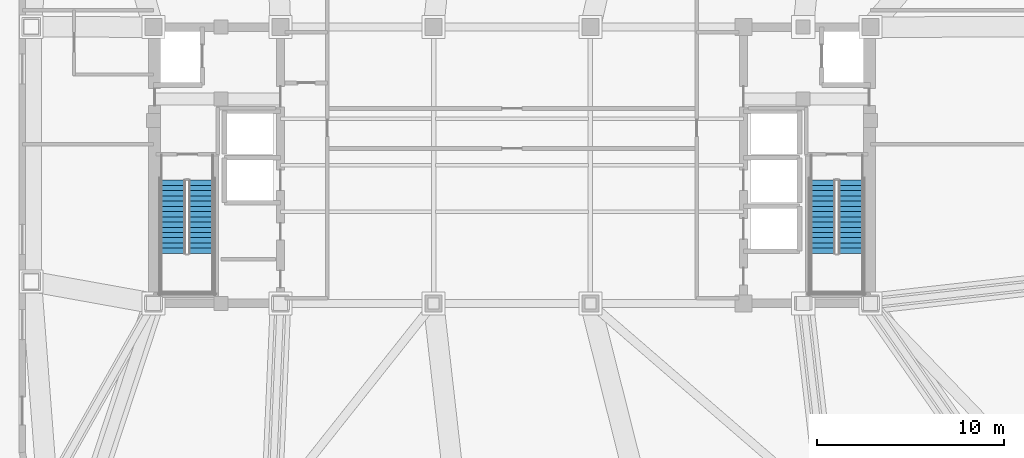
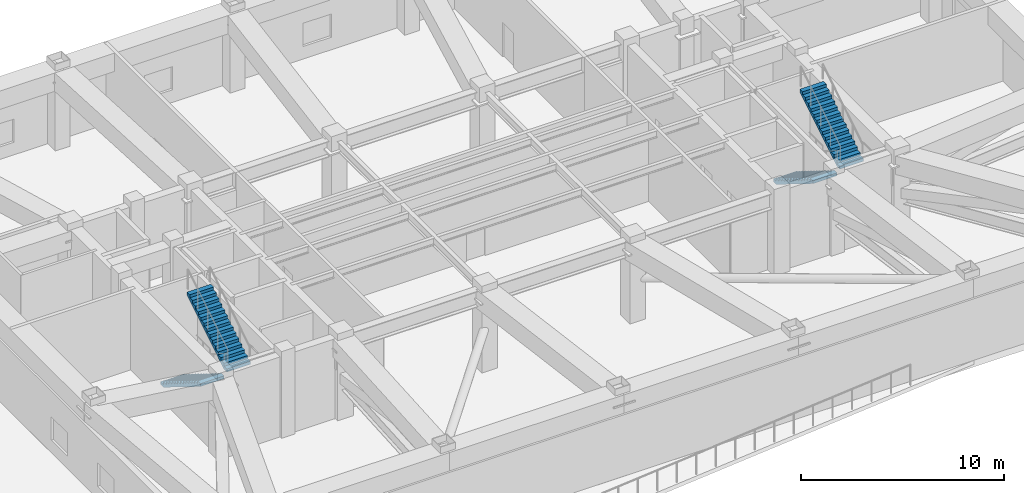
# One storey, part 6 of 10: 4 stair flights, 2 elements without a shape of their own.
"""IFC4 building model written with IfcOpenShell, lengths in metres."""

from ifc_helpers import new_model, si_unit, direction, frame, origin, place, context, subcontext, project, spatial, polyline, outline, extrude, material, type_object, element, aggregate, save


model = new_model("IFC4")

# Units and contexts
model_context = context("Model", 3, precision=1e-05, world=origin(), true_north=direction((0.0, 1.0)))
body_context = subcontext(model_context, "Body", "Model", "MODEL_VIEW")
ifc_project = project(units=[si_unit("LENGTHUNIT", "METRE"), si_unit("AREAUNIT", "SQUARE_METRE"), si_unit("VOLUMEUNIT", "CUBIC_METRE"), si_unit("PLANEANGLEUNIT", "RADIAN"), si_unit("MASSUNIT", "GRAM", prefix="KILO")], contexts=[model_context])

# Site, building, storey
site_placement = place(None, origin())
site = spatial("IfcSite", under=ifc_project, at=site_placement, CompositionType="ELEMENT")
building_placement = place(site_placement, origin())
building = spatial("IfcBuilding", under=site, at=building_placement, Name="Voryun Gate Residences", CompositionType="ELEMENT")
storey_placement = place(building_placement, frame((0.0, 0.0, 195.0)))
storey = spatial("IfcBuildingStorey", under=building, at=storey_placement, Name="L48", CompositionType="ELEMENT", Elevation=195.0)

# Stair, stair flights
ifc_material_1 = material(Name="Concrete C40/50", Category="concrete")
stair_type = type_object("IfcStairType", Name="STR_CORE_DOGLEG_1350", PredefinedType="HALF_TURN_STAIR", material=ifc_material_1)
stair_1_placement = place(storey_placement, origin())
stair_1 = element("IfcStair", 1, at=stair_1_placement, inside=storey, type_object=stair_type, Name="L48 Special Escape Stair ST-W1", PredefinedType="HALF_TURN_STAIR")
ifc_material_2 = material(Name="Concrete C40/50", Category="concrete")
stair_flight_type = type_object("IfcStairFlightType", Name="FLT_CORE_1350", PredefinedType="STRAIGHT", material=ifc_material_2)
stair_flight_1_placement = place(storey_placement, frame((-18.14990234375, -0.800048828125, 0.0), z_axis=(0.0, 0.0, 1.0), x_axis=(0.0, -1.0, 0.0)))
stair_flight_1 = element("IfcStairFlight", 2, at=stair_flight_1_placement, type_object=stair_flight_type, Name="ST-W1 flight 1", NumberOfRisers=15, NumberOfTreads=14, PredefinedType="STRAIGHT", RiserHeight=0.173333333, TreadLength=0.28, context=body_context, shape_type="SweptSolid", body=[
    extrude(outline(polyline([(0.0, 0.0), (0.0, 0.17333984375), (0.280029296875, 0.17333984375), (0.280029296875, 0.3466796875), (0.56005859375, 0.3466796875), (0.56005859375, 0.52001953125), (0.840087890625, 0.52001953125), (0.840087890625, 0.693359375), (1.1201171875, 0.693359375), (1.1201171875, 0.86669921875), (1.39990234375, 0.86669921875), (1.39990234375, 1.0400390625), (1.679931640625, 1.0400390625), (1.679931640625, 1.21337890625), (1.9599609375, 1.21337890625), (1.9599609375, 1.38671875), (2.239990234375, 1.38671875), (2.239990234375, 1.56005859375), (2.52001953125, 1.56005859375), (2.52001953125, 1.7333984375), (2.800048828125, 1.7333984375), (2.800048828125, 1.90673828125), (3.080078125, 1.90673828125), (3.080078125, 2.080078125), (3.360107421875, 2.080078125), (3.360107421875, 2.25341796875), (3.639892578125, 2.25341796875), (3.639892578125, 2.4267578125), (3.919921875, 2.4267578125), (3.919921875, 2.60009765625), (3.919921875, 2.250244140625), (0.284912109375, 0.0), (0.0, 0.0)])), frame((0.0, 0.675048828125, 0.0), z_axis=(0.0, -1.0, 0.0), x_axis=(1.0, 0.0, 0.0)), (0.0, 0.0, 1.0), 1.35009765625),
])
stair_flight_2_placement = place(storey_placement, frame((-16.64990234375, -4.719970703125, 2.60009765625), z_axis=(0.0, 0.0, 1.0), x_axis=(0.0, 1.0, 0.0)))
stair_flight_2 = element("IfcStairFlight", 3, at=stair_flight_2_placement, type_object=stair_flight_type, Name="ST-W1 flight 2", NumberOfRisers=15, NumberOfTreads=14, PredefinedType="STRAIGHT", RiserHeight=0.173333333, TreadLength=0.28, context=body_context, shape_type="SweptSolid", body=[
    extrude(outline(polyline([(0.0, 0.0), (0.0, 0.17333984375), (0.280029296875, 0.17333984375), (0.280029296875, 0.3466796875), (0.56005859375, 0.3466796875), (0.56005859375, 0.52001953125), (0.840087890625, 0.52001953125), (0.840087890625, 0.693359375), (1.1201171875, 0.693359375), (1.1201171875, 0.86669921875), (1.39990234375, 0.86669921875), (1.39990234375, 1.0400390625), (1.679931640625, 1.0400390625), (1.679931640625, 1.21337890625), (1.9599609375, 1.21337890625), (1.9599609375, 1.38671875), (2.239990234375, 1.38671875), (2.239990234375, 1.56005859375), (2.52001953125, 1.56005859375), (2.52001953125, 1.7333984375), (2.800048828125, 1.7333984375), (2.800048828125, 1.90673828125), (3.080078125, 1.90673828125), (3.080078125, 2.080078125), (3.360107421875, 2.080078125), (3.360107421875, 2.25341796875), (3.639892578125, 2.25341796875), (3.639892578125, 2.4267578125), (3.919921875, 2.4267578125), (3.919921875, 2.60009765625), (3.919921875, 2.250244140625), (0.284912109375, 0.0), (0.0, 0.0)])), frame((0.0, 0.675048828125, 0.0), z_axis=(0.0, -1.0, 0.0), x_axis=(1.0, 0.0, 0.0)), (0.0, 0.0, 1.0), 1.35009765625),
])
aggregate(stair_1, [stair_flight_1, stair_flight_2])

stair_2_placement = place(storey_placement, origin())
stair_2 = element("IfcStair", 4, at=stair_2_placement, inside=storey, type_object=stair_type, Name="L48 Special Escape Stair ST-E1", PredefinedType="HALF_TURN_STAIR")
stair_flight_3_placement = place(storey_placement, frame((16.64990234375, -0.800048828125, 0.0), z_axis=(0.0, 0.0, 1.0), x_axis=(0.0, -1.0, 0.0)))
stair_flight_3 = element("IfcStairFlight", 5, at=stair_flight_3_placement, type_object=stair_flight_type, Name="ST-E1 flight 1", NumberOfRisers=15, NumberOfTreads=14, PredefinedType="STRAIGHT", RiserHeight=0.173333333, TreadLength=0.28, context=body_context, shape_type="SweptSolid", body=[
    extrude(outline(polyline([(0.0, 0.0), (0.0, 0.17333984375), (0.280029296875, 0.17333984375), (0.280029296875, 0.3466796875), (0.56005859375, 0.3466796875), (0.56005859375, 0.52001953125), (0.840087890625, 0.52001953125), (0.840087890625, 0.693359375), (1.1201171875, 0.693359375), (1.1201171875, 0.86669921875), (1.39990234375, 0.86669921875), (1.39990234375, 1.0400390625), (1.679931640625, 1.0400390625), (1.679931640625, 1.21337890625), (1.9599609375, 1.21337890625), (1.9599609375, 1.38671875), (2.239990234375, 1.38671875), (2.239990234375, 1.56005859375), (2.52001953125, 1.56005859375), (2.52001953125, 1.7333984375), (2.800048828125, 1.7333984375), (2.800048828125, 1.90673828125), (3.080078125, 1.90673828125), (3.080078125, 2.080078125), (3.360107421875, 2.080078125), (3.360107421875, 2.25341796875), (3.639892578125, 2.25341796875), (3.639892578125, 2.4267578125), (3.919921875, 2.4267578125), (3.919921875, 2.60009765625), (3.919921875, 2.250244140625), (0.284912109375, 0.0), (0.0, 0.0)])), frame((0.0, 0.675048828125, 0.0), z_axis=(0.0, -1.0, 0.0), x_axis=(1.0, 0.0, 0.0)), (0.0, 0.0, 1.0), 1.35009765625),
])
stair_flight_4_placement = place(storey_placement, frame((18.14990234375, -4.719970703125, 2.60009765625), z_axis=(0.0, 0.0, 1.0), x_axis=(0.0, 1.0, 0.0)))
stair_flight_4 = element("IfcStairFlight", 6, at=stair_flight_4_placement, type_object=stair_flight_type, Name="ST-E1 flight 2", NumberOfRisers=15, NumberOfTreads=14, PredefinedType="STRAIGHT", RiserHeight=0.173333333, TreadLength=0.28, context=body_context, shape_type="SweptSolid", body=[
    extrude(outline(polyline([(0.0, 0.0), (0.0, 0.17333984375), (0.280029296875, 0.17333984375), (0.280029296875, 0.3466796875), (0.56005859375, 0.3466796875), (0.56005859375, 0.52001953125), (0.840087890625, 0.52001953125), (0.840087890625, 0.693359375), (1.1201171875, 0.693359375), (1.1201171875, 0.86669921875), (1.39990234375, 0.86669921875), (1.39990234375, 1.0400390625), (1.679931640625, 1.0400390625), (1.679931640625, 1.21337890625), (1.9599609375, 1.21337890625), (1.9599609375, 1.38671875), (2.239990234375, 1.38671875), (2.239990234375, 1.56005859375), (2.52001953125, 1.56005859375), (2.52001953125, 1.7333984375), (2.800048828125, 1.7333984375), (2.800048828125, 1.90673828125), (3.080078125, 1.90673828125), (3.080078125, 2.080078125), (3.360107421875, 2.080078125), (3.360107421875, 2.25341796875), (3.639892578125, 2.25341796875), (3.639892578125, 2.4267578125), (3.919921875, 2.4267578125), (3.919921875, 2.60009765625), (3.919921875, 2.250244140625), (0.284912109375, 0.0), (0.0, 0.0)])), frame((0.0, 0.675048828125, 0.0), z_axis=(0.0, -1.0, 0.0), x_axis=(1.0, 0.0, 0.0)), (0.0, 0.0, 1.0), 1.35009765625),
])
aggregate(stair_2, [stair_flight_3, stair_flight_4])

save(model, "model.ifc")
